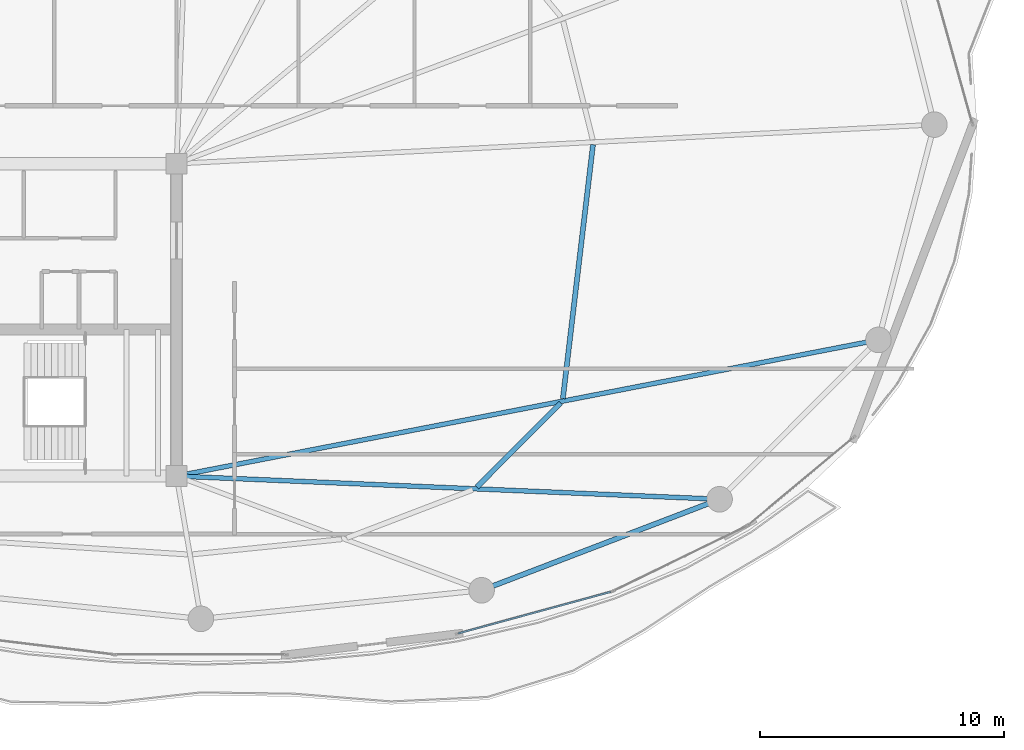
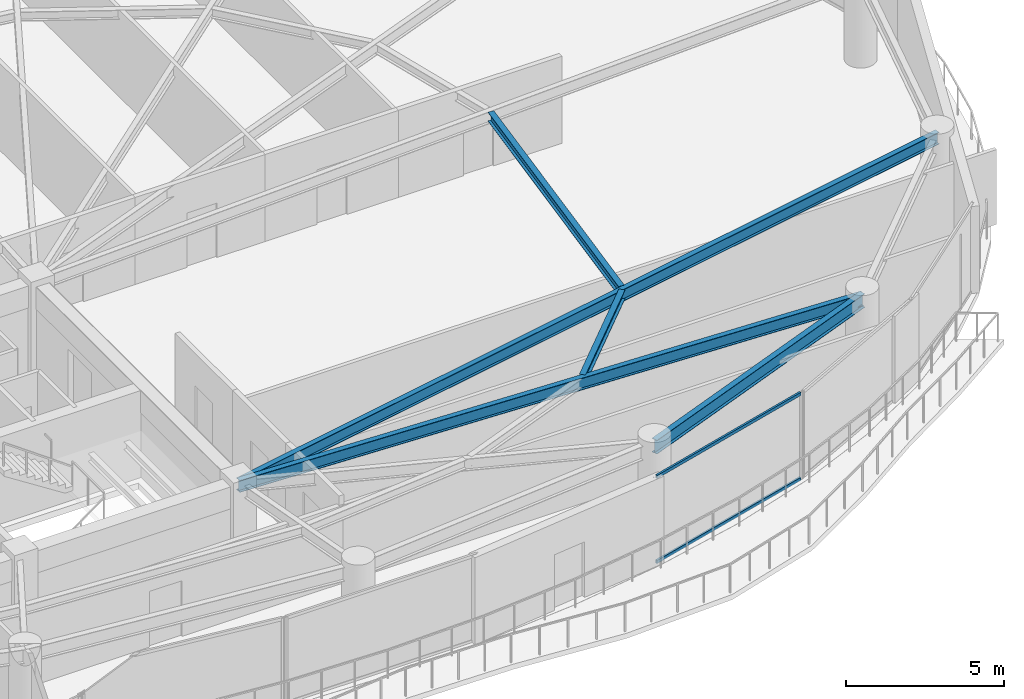
# One storey, part 11 of 28: 5 beams, 2 members, 1 element without a shape of its own.
"""IFC4 building model written with IfcOpenShell, lengths in metres."""

from ifc_helpers import new_model, si_unit, direction, frame, origin, origin_2d, place, context, subcontext, project, spatial, hollow_rectangle, i_section, extrude, material, layer, layer_set, material_profile, profile_set, type_object, element, aggregate, save


model = new_model("IFC4")

# Units and contexts
model_context = context("Model", 3, precision=1e-05, world=origin(), true_north=direction((0.0, 1.0)))
body_context = subcontext(model_context, "Body", "Model", "MODEL_VIEW")
ifc_project = project(units=[si_unit("LENGTHUNIT", "METRE"), si_unit("AREAUNIT", "SQUARE_METRE"), si_unit("VOLUMEUNIT", "CUBIC_METRE"), si_unit("PLANEANGLEUNIT", "RADIAN"), si_unit("MASSUNIT", "GRAM", prefix="KILO")], contexts=[model_context])

# Site, building, storey
site_placement = place(None, origin())
site = spatial("IfcSite", under=ifc_project, at=site_placement, CompositionType="ELEMENT")
building_placement = place(site_placement, origin())
building = spatial("IfcBuilding", under=site, at=building_placement, Name="Kazevale Care Tower and Concert Hall", CompositionType="ELEMENT")
storey_placement = place(building_placement, frame((0.0, 0.0, 231.60009765625)))
storey = spatial("IfcBuildingStorey", under=building, at=storey_placement, Name="L61", CompositionType="ELEMENT", Elevation=231.60009765625)

# Curtain wall, members
ifc_material_1 = material(Name="Aluminium 6063-T6 and Low-E Glass", Category="aluminium")
ifc_layer = layer(ifc_material_1, 0.179931640625)
ifc_layer_set = layer_set([ifc_layer], Name="Aluminium 6063-T6 and Low-E Glass")
curtain_wall_type = type_object("IfcCurtainWallType", Name="Sheltered Concave Balcony Curtain Wall CW-5", PredefinedType="NOTDEFINED", material=ifc_layer_set)
curtain_wall_placement = place(storey_placement, origin())
curtain_wall = element("IfcCurtainWall", 1, at=curtain_wall_placement, inside=storey, type_object=curtain_wall_type, Name="cw:L61:f04", PredefinedType="NOTDEFINED")
ifc_material_2 = material(Name="Aluminium 6063-T6", Category="aluminium")
ifc_material_profile_1 = material_profile(ifc_material_2, hollow_rectangle(XDim=0.074951171875, YDim=0.1201171875, WallThickness=0.00390625, at=origin_2d()), Name="ALU75x120x4")
ifc_profile_set_1 = profile_set([ifc_material_profile_1], Name="Aluminium 6063-T6")
member_type = type_object("IfcMemberType", Name="CW-5 Transom ALU75x120x4", PredefinedType="USERDEFINED", material=ifc_profile_set_1)
member_1_placement = place(storey_placement, frame((61.78369140625, 18.853271484375, 0.037353515625), z_axis=(-0.964843890632, -0.262823641842, 0.0), x_axis=(0.262823641842, -0.964843890632, 0.0)))
member_1 = element("IfcMember", 2, at=member_1_placement, type_object=member_type, Name="CW-5 transom 1.1", ObjectType="TRANSOM", PredefinedType="USERDEFINED", context=body_context, shape_type="SweptSolid", body=[
    extrude(hollow_rectangle(XDim=0.074951171875, YDim=0.1201171875, WallThickness=0.00390625, at=origin_2d()), origin(), (0.0, 0.0, 1.0), 6.469970703125),
])
member_2_placement = place(storey_placement, frame((61.78369140625, 18.853271484375, 3.322509765625), z_axis=(-0.964843890632, -0.262823641842, 0.0), x_axis=(0.262823641842, -0.964843890632, 0.0)))
member_2 = element("IfcMember", 3, at=member_2_placement, type_object=member_type, Name="CW-5 transom 1.2", ObjectType="TRANSOM", PredefinedType="USERDEFINED", context=body_context, shape_type="SweptSolid", body=[
    extrude(hollow_rectangle(XDim=0.074951171875, YDim=0.1201171875, WallThickness=0.00390625, at=origin_2d()), origin(), (0.0, 0.0, 1.0), 6.469970703125),
])
aggregate(curtain_wall, [member_1, member_2])

# Beams
ifc_material_3 = material(Name="Steel ASTM A572 Gr 50", Category="steel")
ifc_material_profile_2 = material_profile(ifc_material_3, i_section(OverallWidth=0.19091796875, OverallDepth=0.4599609375, WebThickness=0.010009765625, FlangeThickness=0.01611328125, at=origin_2d()), Name="W460x82")
ifc_profile_set_2 = profile_set([ifc_material_profile_2], Name="Steel ASTM A572 Gr 50")
beam_type_1 = type_object("IfcBeamType", Name="Radial Floor Beam W460x82", PredefinedType="BEAM", material=ifc_profile_set_2)
beam_1_placement = place(storey_placement, frame((44.0, 23.60009765625, 3.1298828125), z_axis=(0.999089369477, -0.042666518456, 0.0), x_axis=(0.042666518456, 0.999089369477, 0.0)))
element("IfcBeam", 4, at=beam_1_placement, inside=storey, type_object=beam_type_1, Name="beam:L61:rad:15", PredefinedType="BEAM", context=body_context, shape_type="SweptSolid", body=[
    extrude(i_section(OverallWidth=0.19091796875, OverallDepth=0.4599609375, WebThickness=0.010009765625, FlangeThickness=0.01611328125, at=origin_2d()), origin(), (0.0, 0.0, 1.0), 22.270263671875),
])
beam_2_placement = place(storey_placement, frame((44.0, 23.60009765625, 3.1298828125), z_axis=(0.981694544574, 0.190462125247, 0.0), x_axis=(-0.190462125247, 0.981694544574, 0.0)))
element("IfcBeam", 5, at=beam_2_placement, inside=storey, type_object=beam_type_1, Name="beam:L61:rad:16", PredefinedType="BEAM", context=body_context, shape_type="SweptSolid", body=[
    extrude(i_section(OverallWidth=0.19091796875, OverallDepth=0.4599609375, WebThickness=0.010009765625, FlangeThickness=0.01611328125, at=origin_2d()), origin(), (0.0, 0.0, 1.0), 29.29638671875),
])
ifc_material_profile_3 = material_profile(ifc_material_3, i_section(OverallWidth=0.205078125, OverallDepth=0.35400390625, WebThickness=0.009521484375, FlangeThickness=0.016845703125, at=origin_2d()), Name="W360x79")
ifc_profile_set_3 = profile_set([ifc_material_profile_3], Name="Steel ASTM A572 Gr 50")
beam_type_2 = type_object("IfcBeamType", Name="Secondary Floor Joist W360x79", PredefinedType="JOIST", material=ifc_profile_set_3)
beam_3_placement = place(storey_placement, frame((56.31201171875, 23.152099609375, 3.182861328125), z_axis=(0.705975874919, 0.708235881633, 0.0), x_axis=(-0.708235881633, 0.705975874919, 0.0)))
element("IfcBeam", 6, at=beam_3_placement, inside=storey, type_object=beam_type_2, Name="beam:L61:joist:15", PredefinedType="JOIST", context=body_context, shape_type="SweptSolid", body=[
    extrude(i_section(OverallWidth=0.205078125, OverallDepth=0.35400390625, WebThickness=0.009521484375, FlangeThickness=0.016845703125, at=origin_2d()), origin(), (0.0, 0.0, 1.0), 4.861083984375),
])
beam_4_placement = place(storey_placement, frame((59.830078125, 26.77294921875, 3.182861328125), z_axis=(0.117874218468, 0.993028533639, 0.0), x_axis=(-0.993028533639, 0.117874218468, 0.0)))
element("IfcBeam", 7, at=beam_4_placement, inside=storey, type_object=beam_type_2, Name="beam:L61:joist:16", PredefinedType="JOIST", context=body_context, shape_type="SweptSolid", body=[
    extrude(i_section(OverallWidth=0.205078125, OverallDepth=0.35400390625, WebThickness=0.009521484375, FlangeThickness=0.016845703125, at=origin_2d()), origin(), (0.0, 0.0, 1.0), 10.47607421875),
])
ifc_material_profile_4 = material_profile(ifc_material_3, i_section(OverallWidth=0.208984375, OverallDepth=0.532958984375, WebThickness=0.01025390625, FlangeThickness=0.015625, at=origin_2d()), Name="W530x92")
ifc_profile_set_4 = profile_set([ifc_material_profile_4], Name="Steel ASTM A572 Gr 50")
beam_type_3 = type_object("IfcBeamType", Name="Upper Ring Beam W530x92", PredefinedType="BEAM", material=ifc_profile_set_4)
beam_5_placement = place(storey_placement, frame((56.5, 18.919921875, 3.093505859375), z_axis=(0.933986653173, 0.357307894811, 0.0), x_axis=(-0.357307894811, 0.933986653173, 0.0)))
element("IfcBeam", 8, at=beam_5_placement, inside=storey, type_object=beam_type_3, Name="beam:L61:ring:14", PredefinedType="BEAM", context=body_context, shape_type="SweptSolid", body=[
    extrude(i_section(OverallWidth=0.208984375, OverallDepth=0.532958984375, WebThickness=0.01025390625, FlangeThickness=0.015625, at=origin_2d()), origin(), (0.0, 0.0, 1.0), 10.439208984375),
])

save(model, "model.ifc")
